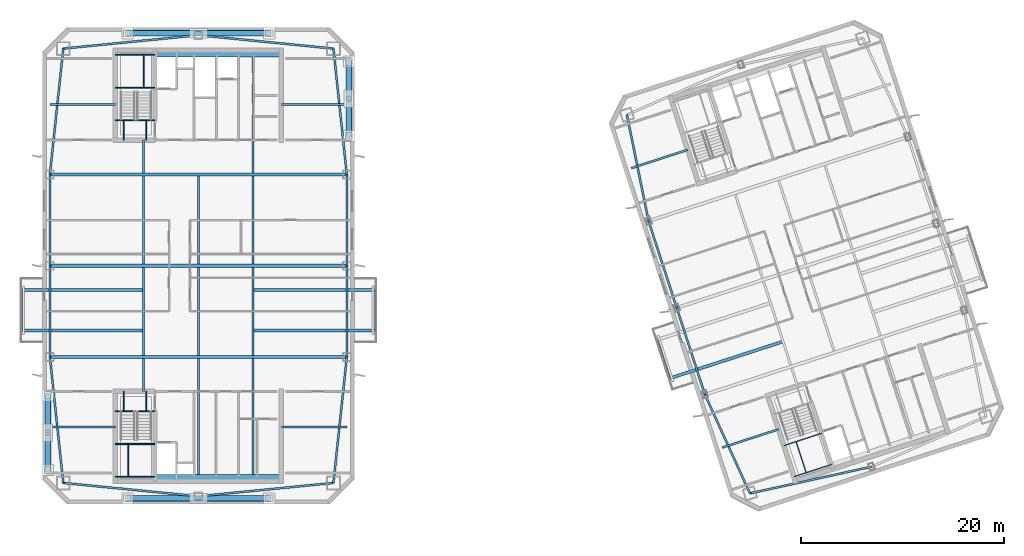
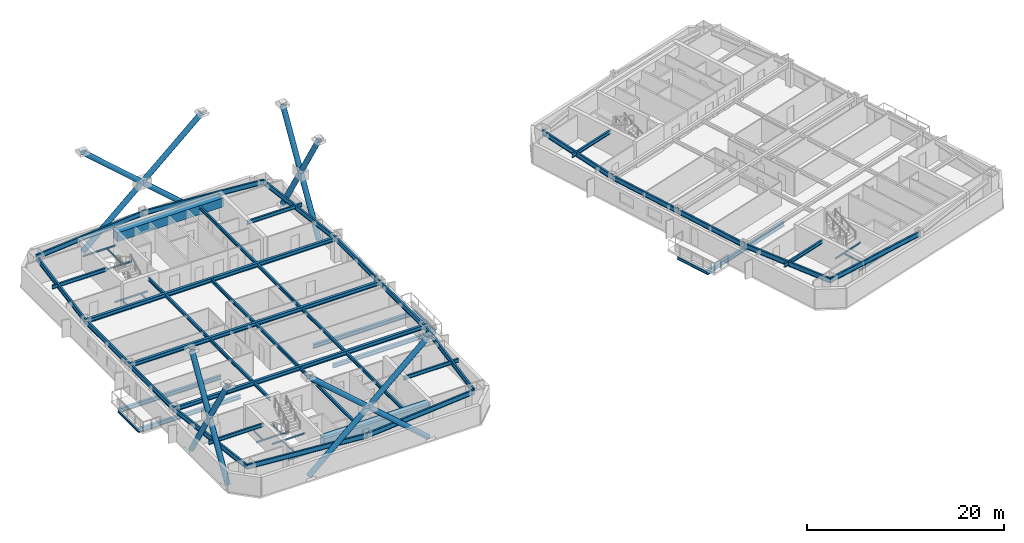
# One storey, part 3 of 18: 62 beams, 16 members.
"""IFC4 building model written with IfcOpenShell, lengths in metres."""

from ifc_helpers import new_model, si_unit, direction, frame, origin, origin_2d, place, context, subcontext, project, spatial, rectangle, hollow_circle, i_section, extrude, material, material_profile, profile_set, type_object, element, save


model = new_model("IFC4")

# Units and contexts
model_context = context("Model", 3, precision=1e-05, world=origin(), true_north=direction((0.0, 1.0)))
body_context = subcontext(model_context, "Body", "Model", "MODEL_VIEW")
ifc_project = project(units=[si_unit("LENGTHUNIT", "METRE"), si_unit("AREAUNIT", "SQUARE_METRE"), si_unit("VOLUMEUNIT", "CUBIC_METRE"), si_unit("PLANEANGLEUNIT", "RADIAN"), si_unit("MASSUNIT", "GRAM", prefix="KILO")], contexts=[model_context])

# Site, building, storey
site_placement = place(None, origin())
site = spatial("IfcSite", under=ifc_project, at=site_placement, CompositionType="ELEMENT")
building_placement = place(site_placement, origin())
building = spatial("IfcBuilding", under=site, at=building_placement, Name="Qiaolan Cultural Towers", CompositionType="ELEMENT")
storey_placement = place(building_placement, frame((0.0, 0.0, 237.60009765625)))
storey = spatial("IfcBuildingStorey", under=building, at=storey_placement, Name="L64", CompositionType="ELEMENT", Elevation=237.60009765625)

# Beams
ifc_material_1 = material(Name="Steel Q355B", Category="steel")
ifc_material_profile_1 = material_profile(ifc_material_1, i_section(OverallWidth=0.300048828125, OverallDepth=0.488037109375, WebThickness=0.010986328125, FlangeThickness=0.01806640625, at=origin_2d()), Name="HM488x300x11x18")
ifc_profile_set_1 = profile_set([ifc_material_profile_1], Name="Steel Q355B")
beam_type_1 = type_object("IfcBeamType", Name="BM-HM488x300x11x18", PredefinedType="BEAM", material=ifc_profile_set_1)
for number, where, z_axis, x_axis, name in (
    (1, (24.60009765625, 27.60009765625, -0.524169921875), (-1.0, 0.0, 0.0), (0.0, -1.0, 0.0), "L64 T1 Tree Balcony Back-Spanned Bracket Beam"),
    (2, (24.60009765625, 31.60009765625, -0.524169921875), (-1.0, 0.0, 0.0), (0.0, -1.0, 0.0), "L64 T1 Tree Balcony Back-Spanned Bracket Beam"),
    (3, (35.39990234375, 27.60009765625, -0.524169921875), (1.0, 0.0, 0.0), (0.0, 1.0, 0.0), "L64 T1 Tree Balcony Back-Spanned Bracket Beam"),
    (4, (35.39990234375, 31.60009765625, -0.524169921875), (1.0, 0.0, 0.0), (0.0, 1.0, 0.0), "L64 T1 Tree Balcony Back-Spanned Bracket Beam"),
):
    element("IfcBeam", number, at=place(storey_placement, frame(where, z_axis=z_axis, x_axis=x_axis)), inside=storey, type_object=beam_type_1, Name=name, PredefinedType="BEAM", context=body_context, shape_type="SweptSolid", body=[
        extrude(i_section(OverallWidth=0.300048828125, OverallDepth=0.488037109375, WebThickness=0.010986328125, FlangeThickness=0.01806640625, at=origin_2d()), origin(), (0.0, 0.0, 1.0), 12.050048828125),
    ])
beam_1_placement = place(storey_placement, frame((87.697998046875, 26.522705078125, -0.524169921875), z_axis=(-0.951053763838, -0.309025465439, 0.0), x_axis=(0.309025465439, -0.951053763838, 0.0)))
element("IfcBeam", 5, at=beam_1_placement, inside=storey, type_object=beam_type_1, Name="L64 T2 Tree Balcony Back-Spanned Bracket Beam", PredefinedType="BEAM", context=body_context, shape_type="SweptSolid", body=[
    extrude(i_section(OverallWidth=0.300048828125, OverallDepth=0.488037109375, WebThickness=0.010986328125, FlangeThickness=0.01806640625, at=origin_2d()), origin(), (0.0, 0.0, 1.0), 11.750244140625),
])
for number, where, z_axis, x_axis, name in (
    (6, (15.35009765625, 25.0, 2.69580078125), (1.0, 0.0, 0.0), (0.0, 1.0, 0.0), "L64 T1 Primary Transverse Girder V1"),
    (7, (15.35009765625, 34.0, 2.69580078125), (1.0, 0.0, 0.0), (0.0, 1.0, 0.0), "L64 T1 Primary Transverse Girder V2"),
    (8, (15.35009765625, 43.0, 2.69580078125), (1.0, 0.0, 0.0), (0.0, 1.0, 0.0), "L64 T1 Primary Transverse Girder V3"),
):
    element("IfcBeam", number, at=place(storey_placement, frame(where, z_axis=z_axis, x_axis=x_axis)), inside=storey, type_object=beam_type_1, Name=name, PredefinedType="BEAM", context=body_context, shape_type="SweptSolid", body=[
        extrude(i_section(OverallWidth=0.300048828125, OverallDepth=0.488037109375, WebThickness=0.010986328125, FlangeThickness=0.01806640625, at=origin_2d()), origin(), (0.0, 0.0, 1.0), 29.2998046875),
    ])
ifc_material_2 = material(Name="Steel Q355B", Category="steel")
ifc_material_profile_2 = material_profile(ifc_material_2, i_section(OverallWidth=0.175048828125, OverallDepth=0.35009765625, WebThickness=0.007080078125, FlangeThickness=0.010986328125, at=origin_2d()), Name="HN350x175x7x11")
ifc_profile_set_2 = profile_set([ifc_material_profile_2], Name="Steel Q355B")
beam_type_2 = type_object("IfcBeamType", Name="BM-JST-HN350x175x7x11", PredefinedType="JOIST", material=ifc_profile_set_2)
for number, where, z_axis, x_axis, name in (
    (9, (12.550048828125, 27.60009765625, -0.524169921875), (0.0, 1.0, 0.0), (-1.0, 0.0, 0.0), "L64 T1 Tree Balcony Outer Edge Beam"),
    (10, (47.449951171875, 27.60009765625, -0.524169921875), (0.0, 1.0, 0.0), (-1.0, 0.0, 0.0), "L64 T1 Tree Balcony Outer Edge Beam"),
):
    element("IfcBeam", number, at=place(storey_placement, frame(where, z_axis=z_axis, x_axis=x_axis)), inside=storey, type_object=beam_type_2, Name=name, PredefinedType="JOIST", context=body_context, shape_type="SweptSolid", body=[
        extrude(i_section(OverallWidth=0.175048828125, OverallDepth=0.35009765625, WebThickness=0.007080078125, FlangeThickness=0.010986328125, at=origin_2d()), origin(), (0.0, 0.0, 1.0), 4.0),
    ])
beam_2_placement = place(storey_placement, frame((76.52294921875, 22.8916015625, -0.524169921875), z_axis=(-0.3090046493, 0.951060527364, 0.0), x_axis=(-0.951060527364, -0.3090046493, 0.0)))
element("IfcBeam", 11, at=beam_2_placement, inside=storey, type_object=beam_type_2, Name="L64 T2 Tree Balcony Outer Edge Beam", PredefinedType="JOIST", context=body_context, shape_type="SweptSolid", body=[
    extrude(i_section(OverallWidth=0.175048828125, OverallDepth=0.35009765625, WebThickness=0.007080078125, FlangeThickness=0.010986328125, at=origin_2d()), origin(), (0.0, 0.0, 1.0), 4.000244140625),
])
ifc_material_3 = material(Name="Steel Q355B", Category="steel")
ifc_material_profile_3 = material_profile(ifc_material_3, i_section(OverallWidth=0.199951171875, OverallDepth=0.39990234375, WebThickness=0.008056640625, FlangeThickness=0.012939453125, at=origin_2d()), Name="HN400x200x8x13")
ifc_profile_set_3 = profile_set([ifc_material_profile_3], Name="Steel Q355B")
beam_type_3 = type_object("IfcBeamType", Name="BM-JST-HN400x200x8x13", PredefinedType="JOIST", material=ifc_profile_set_3)
beam_3_placement = place(storey_placement, frame((24.60009765625, 21.60009765625, 2.739990234375), z_axis=(0.0, 1.0, 0.0), x_axis=(-1.0, 0.0, 0.0)))
element("IfcBeam", 12, at=beam_3_placement, inside=storey, type_object=beam_type_3, Name="L64 T1 Secondary Floor Joist U1-1", PredefinedType="JOIST", context=body_context, shape_type="SweptSolid", body=[
    extrude(i_section(OverallWidth=0.199951171875, OverallDepth=0.39990234375, WebThickness=0.008056640625, FlangeThickness=0.012939453125, at=origin_2d()), origin(), (0.0, 0.0, 1.0), 3.25),
])
for number, where, z_axis, x_axis, name in (
    (13, (24.60009765625, 25.14990234375, 2.739990234375), (0.0, 1.0, 0.0), (-1.0, 0.0, 0.0), "L64 T1 Secondary Floor Joist U1-2"),
    (14, (24.60009765625, 34.14990234375, 2.739990234375), (0.0, 1.0, 0.0), (-1.0, 0.0, 0.0), "L64 T1 Secondary Floor Joist U1-3"),
):
    element("IfcBeam", number, at=place(storey_placement, frame(where, z_axis=z_axis, x_axis=x_axis)), inside=storey, type_object=beam_type_3, Name=name, PredefinedType="JOIST", context=body_context, shape_type="SweptSolid", body=[
        extrude(i_section(OverallWidth=0.199951171875, OverallDepth=0.39990234375, WebThickness=0.008056640625, FlangeThickness=0.012939453125, at=origin_2d()), origin(), (0.0, 0.0, 1.0), 8.7001953125),
    ])
beam_4_placement = place(storey_placement, frame((24.60009765625, 43.14990234375, 2.739990234375), z_axis=(0.0, 1.0, 0.0), x_axis=(-1.0, 0.0, 0.0)))
element("IfcBeam", 15, at=beam_4_placement, inside=storey, type_object=beam_type_3, Name="L64 T1 Secondary Floor Joist U1-4", PredefinedType="JOIST", context=body_context, shape_type="SweptSolid", body=[
    extrude(i_section(OverallWidth=0.199951171875, OverallDepth=0.39990234375, WebThickness=0.008056640625, FlangeThickness=0.012939453125, at=origin_2d()), origin(), (0.0, 0.0, 1.0), 3.25),
])
beam_5_placement = place(storey_placement, frame((30.0, 13.39990234375, 2.739990234375), z_axis=(0.0, 1.0, 0.0), x_axis=(-1.0, 0.0, 0.0)))
element("IfcBeam", 16, at=beam_5_placement, inside=storey, type_object=beam_type_3, Name="L64 T1 Secondary Floor Joist U2-1", PredefinedType="JOIST", context=body_context, shape_type="SweptSolid", body=[
    extrude(i_section(OverallWidth=0.199951171875, OverallDepth=0.39990234375, WebThickness=0.008056640625, FlangeThickness=0.012939453125, at=origin_2d()), origin(), (0.0, 0.0, 1.0), 11.4501953125),
])
for number, where, z_axis, x_axis, name in (
    (17, (30.0, 25.14990234375, 2.739990234375), (0.0, 1.0, 0.0), (-1.0, 0.0, 0.0), "L64 T1 Secondary Floor Joist U2-2"),
    (18, (30.0, 34.14990234375, 2.739990234375), (0.0, 1.0, 0.0), (-1.0, 0.0, 0.0), "L64 T1 Secondary Floor Joist U2-3"),
):
    element("IfcBeam", number, at=place(storey_placement, frame(where, z_axis=z_axis, x_axis=x_axis)), inside=storey, type_object=beam_type_3, Name=name, PredefinedType="JOIST", context=body_context, shape_type="SweptSolid", body=[
        extrude(i_section(OverallWidth=0.199951171875, OverallDepth=0.39990234375, WebThickness=0.008056640625, FlangeThickness=0.012939453125, at=origin_2d()), origin(), (0.0, 0.0, 1.0), 8.7001953125),
    ])
beam_6_placement = place(storey_placement, frame((35.39990234375, 13.39990234375, 2.739990234375), z_axis=(0.0, 1.0, 0.0), x_axis=(-1.0, 0.0, 0.0)))
element("IfcBeam", 19, at=beam_6_placement, inside=storey, type_object=beam_type_3, Name="L64 T1 Secondary Floor Joist U3-1", PredefinedType="JOIST", context=body_context, shape_type="SweptSolid", body=[
    extrude(i_section(OverallWidth=0.199951171875, OverallDepth=0.39990234375, WebThickness=0.008056640625, FlangeThickness=0.012939453125, at=origin_2d()), origin(), (0.0, 0.0, 1.0), 11.4501953125),
])
for number, where, z_axis, x_axis, name in (
    (20, (35.39990234375, 25.14990234375, 2.739990234375), (0.0, 1.0, 0.0), (-1.0, 0.0, 0.0), "L64 T1 Secondary Floor Joist U3-2"),
    (21, (35.39990234375, 34.14990234375, 2.739990234375), (0.0, 1.0, 0.0), (-1.0, 0.0, 0.0), "L64 T1 Secondary Floor Joist U3-3"),
):
    element("IfcBeam", number, at=place(storey_placement, frame(where, z_axis=z_axis, x_axis=x_axis)), inside=storey, type_object=beam_type_3, Name=name, PredefinedType="JOIST", context=body_context, shape_type="SweptSolid", body=[
        extrude(i_section(OverallWidth=0.199951171875, OverallDepth=0.39990234375, WebThickness=0.008056640625, FlangeThickness=0.012939453125, at=origin_2d()), origin(), (0.0, 0.0, 1.0), 8.7001953125),
    ])
beam_7_placement = place(storey_placement, frame((35.39990234375, 43.14990234375, 2.739990234375), z_axis=(0.0, 1.0, 0.0), x_axis=(-1.0, 0.0, 0.0)))
element("IfcBeam", 22, at=beam_7_placement, inside=storey, type_object=beam_type_3, Name="L64 T1 Secondary Floor Joist U3-4", PredefinedType="JOIST", context=body_context, shape_type="SweptSolid", body=[
    extrude(i_section(OverallWidth=0.199951171875, OverallDepth=0.39990234375, WebThickness=0.008056640625, FlangeThickness=0.012939453125, at=origin_2d()), origin(), (0.0, 0.0, 1.0), 11.4501953125),
])
ifc_material_4 = material(Name="Steel Q355B", Category="steel")
ifc_material_profile_4 = material_profile(ifc_material_4, i_section(OverallWidth=0.199951171875, OverallDepth=0.449951171875, WebThickness=0.009033203125, FlangeThickness=0.013916015625, at=origin_2d()), Name="HN450x200x9x14")
ifc_profile_set_4 = profile_set([ifc_material_profile_4], Name="Steel Q355B")
beam_type_4 = type_object("IfcBeamType", Name="BM-LNT-HN450x200x9x14", PredefinedType="LINTEL", material=ifc_profile_set_4)
for number, where, z_axis, x_axis, name in (
    (23, (21.800048828125, 18.10009765625, 2.71484375), (-1.0, 0.0, 0.0), (0.0, -1.0, 0.0), "L64 T1 Core Flank Tie Lintel WS"),
    (24, (21.800048828125, 49.89990234375, 2.71484375), (-1.0, 0.0, 0.0), (0.0, -1.0, 0.0), "L64 T1 Core Flank Tie Lintel WN"),
    (25, (38.199951171875, 18.10009765625, 2.71484375), (1.0, 0.0, 0.0), (0.0, 1.0, 0.0), "L64 T1 Core Flank Tie Lintel ES"),
    (26, (38.199951171875, 49.89990234375, 2.71484375), (1.0, 0.0, 0.0), (0.0, 1.0, 0.0), "L64 T1 Core Flank Tie Lintel EN"),
):
    element("IfcBeam", number, at=place(storey_placement, frame(where, z_axis=z_axis, x_axis=x_axis)), inside=storey, type_object=beam_type_4, Name=name, PredefinedType="LINTEL", context=body_context, shape_type="SweptSolid", body=[
        extrude(i_section(OverallWidth=0.199951171875, OverallDepth=0.449951171875, WebThickness=0.009033203125, FlangeThickness=0.013916015625, at=origin_2d()), origin(), (0.0, 0.0, 1.0), 6.449951171875),
    ])
for number, where, z_axis, x_axis, name in (
    (27, (87.252685546875, 17.861083984375, 2.71484375), (-0.951063813276, -0.308994535675, 0.0), (0.308994535675, -0.951063813276, 0.0), "L64 T2 Core Flank Tie Lintel WS"),
    (28, (78.291259765625, 45.44189453125, 2.71484375), (-0.951051548326, -0.309032283793, 0.0), (0.309032283793, -0.951051548326, 0.0), "L64 T2 Core Flank Tie Lintel WN"),
):
    element("IfcBeam", number, at=place(storey_placement, frame(where, z_axis=z_axis, x_axis=x_axis)), inside=storey, type_object=beam_type_4, Name=name, PredefinedType="LINTEL", context=body_context, shape_type="SweptSolid", body=[
        extrude(i_section(OverallWidth=0.199951171875, OverallDepth=0.449951171875, WebThickness=0.009033203125, FlangeThickness=0.013916015625, at=origin_2d()), origin(), (0.0, 0.0, 1.0), 5.85009765625),
    ])
ifc_material_5 = material(Name="Concrete C50", Category="concrete")
ifc_material_profile_5 = material_profile(ifc_material_5, rectangle(XDim=0.89990234375, YDim=1.10009765625, at=origin_2d()), Name="RC900x1100")
ifc_profile_set_5 = profile_set([ifc_material_profile_5], Name="Concrete C50")
beam_type_5 = type_object("IfcBeamType", Name="BM-RC900x1100", PredefinedType="BEAM", material=ifc_profile_set_5)
for number, where, z_axis, x_axis, name in (
    (29, (25.719970703125, 12.949951171875, 2.389892578125), (1.0, 0.0, 0.0), (0.0, 1.0, 0.0), "L64 T1 Core Header Girder S"),
    (30, (25.719970703125, 55.050048828125, 2.389892578125), (1.0, 0.0, 0.0), (0.0, 1.0, 0.0), "L64 T1 Core Header Girder N"),
):
    element("IfcBeam", number, at=place(storey_placement, frame(where, z_axis=z_axis, x_axis=x_axis)), inside=storey, type_object=beam_type_5, Name=name, PredefinedType="BEAM", context=body_context, shape_type="SweptSolid", body=[
        extrude(rectangle(XDim=0.89990234375, YDim=1.10009765625, at=origin_2d()), origin(), (0.0, 0.0, 1.0), 12.47998046875),
    ])
ifc_material_6 = material(Name="Steel Q355B", Category="steel")
ifc_material_profile_6 = material_profile(ifc_material_6, i_section(OverallWidth=0.199951171875, OverallDepth=0.60009765625, WebThickness=0.010986328125, FlangeThickness=0.01708984375, at=origin_2d()), Name="HN600x200x11x17")
ifc_profile_set_6 = profile_set([ifc_material_profile_6], Name="Steel Q355B")
beam_type_6 = type_object("IfcBeamType", Name="BM-SPD-HN600x200x11x17", PredefinedType="SPANDREL", material=ifc_profile_set_6)
for number, where, z_axis, x_axis, name in (
    (31, (16.669921875, 12.570068359375, 2.639892578125), (0.995132371263, -0.098547266143, 0.0), (0.098547266143, 0.995132371263, 0.0), "L64 T1 Perimeter Spandrel Beam 1"),
    (32, (30.0, 11.25, 2.639892578125), (0.995132371263, 0.098547266143, 0.0), (-0.098547266143, 0.995132371263, 0.0), "L64 T1 Perimeter Spandrel Beam 2"),
):
    element("IfcBeam", number, at=place(storey_placement, frame(where, z_axis=z_axis, x_axis=x_axis)), inside=storey, type_object=beam_type_6, Name=name, PredefinedType="SPANDREL", context=body_context, shape_type="SweptSolid", body=[
        extrude(i_section(OverallWidth=0.199951171875, OverallDepth=0.60009765625, WebThickness=0.010986328125, FlangeThickness=0.01708984375, at=origin_2d()), origin(), (0.0, 0.0, 1.0), 13.395263671875),
    ])
beam_8_placement = place(storey_placement, frame((43.330078125, 12.570068359375, 2.639892578125), z_axis=(0.105587580773, 0.994410007384, 0.0), x_axis=(-0.994410007384, 0.105587580773, 0.0)))
element("IfcBeam", 33, at=beam_8_placement, inside=storey, type_object=beam_type_6, Name="L64 T1 Perimeter Spandrel Beam 3", PredefinedType="SPANDREL", context=body_context, shape_type="SweptSolid", body=[
    extrude(i_section(OverallWidth=0.199951171875, OverallDepth=0.60009765625, WebThickness=0.010986328125, FlangeThickness=0.01708984375, at=origin_2d()), origin(), (0.0, 0.0, 1.0), 12.499755859375),
])
for number, where, z_axis, x_axis, name in (
    (34, (44.64990234375, 25.0, 2.639892578125), (0.0, 1.0, 0.0), (-1.0, 0.0, 0.0), "L64 T1 Perimeter Spandrel Beam 4"),
    (35, (44.64990234375, 34.0, 2.639892578125), (0.0, 1.0, 0.0), (-1.0, 0.0, 0.0), "L64 T1 Perimeter Spandrel Beam 5"),
):
    element("IfcBeam", number, at=place(storey_placement, frame(where, z_axis=z_axis, x_axis=x_axis)), inside=storey, type_object=beam_type_6, Name=name, PredefinedType="SPANDREL", context=body_context, shape_type="SweptSolid", body=[
        extrude(i_section(OverallWidth=0.199951171875, OverallDepth=0.60009765625, WebThickness=0.010986328125, FlangeThickness=0.01708984375, at=origin_2d()), origin(), (0.0, 0.0, 1.0), 9.0),
    ])
beam_9_placement = place(storey_placement, frame((44.64990234375, 43.0, 2.639892578125), z_axis=(-0.105587580773, 0.994410007384, 0.0), x_axis=(-0.994410007384, -0.105587580773, 0.0)))
element("IfcBeam", 36, at=beam_9_placement, inside=storey, type_object=beam_type_6, Name="L64 T1 Perimeter Spandrel Beam 6", PredefinedType="SPANDREL", context=body_context, shape_type="SweptSolid", body=[
    extrude(i_section(OverallWidth=0.199951171875, OverallDepth=0.60009765625, WebThickness=0.010986328125, FlangeThickness=0.01708984375, at=origin_2d()), origin(), (0.0, 0.0, 1.0), 12.499755859375),
])
for number, where, z_axis, x_axis, name in (
    (37, (43.330078125, 55.429931640625, 2.639892578125), (-0.995132371263, 0.098547266143, 0.0), (-0.098547266143, -0.995132371263, 0.0), "L64 T1 Perimeter Spandrel Beam 7"),
    (38, (30.0, 56.75, 2.639892578125), (-0.995132371263, -0.098547266143, 0.0), (0.098547266143, -0.995132371263, 0.0), "L64 T1 Perimeter Spandrel Beam 8"),
):
    element("IfcBeam", number, at=place(storey_placement, frame(where, z_axis=z_axis, x_axis=x_axis)), inside=storey, type_object=beam_type_6, Name=name, PredefinedType="SPANDREL", context=body_context, shape_type="SweptSolid", body=[
        extrude(i_section(OverallWidth=0.199951171875, OverallDepth=0.60009765625, WebThickness=0.010986328125, FlangeThickness=0.01708984375, at=origin_2d()), origin(), (0.0, 0.0, 1.0), 13.395263671875),
    ])
beam_10_placement = place(storey_placement, frame((16.669921875, 55.429931640625, 2.639892578125), z_axis=(-0.105587580773, -0.994410007384, 0.0), x_axis=(0.994410007384, -0.105587580773, 0.0)))
element("IfcBeam", 39, at=beam_10_placement, inside=storey, type_object=beam_type_6, Name="L64 T1 Perimeter Spandrel Beam 9", PredefinedType="SPANDREL", context=body_context, shape_type="SweptSolid", body=[
    extrude(i_section(OverallWidth=0.199951171875, OverallDepth=0.60009765625, WebThickness=0.010986328125, FlangeThickness=0.01708984375, at=origin_2d()), origin(), (0.0, 0.0, 1.0), 12.499755859375),
])
for number, where, z_axis, x_axis, name in (
    (40, (15.35009765625, 43.0, 2.639892578125), (0.0, -1.0, 0.0), (1.0, 0.0, 0.0), "L64 T1 Perimeter Spandrel Beam 10"),
    (41, (15.35009765625, 34.0, 2.639892578125), (0.0, -1.0, 0.0), (1.0, 0.0, 0.0), "L64 T1 Perimeter Spandrel Beam 11"),
):
    element("IfcBeam", number, at=place(storey_placement, frame(where, z_axis=z_axis, x_axis=x_axis)), inside=storey, type_object=beam_type_6, Name=name, PredefinedType="SPANDREL", context=body_context, shape_type="SweptSolid", body=[
        extrude(i_section(OverallWidth=0.199951171875, OverallDepth=0.60009765625, WebThickness=0.010986328125, FlangeThickness=0.01708984375, at=origin_2d()), origin(), (0.0, 0.0, 1.0), 9.0),
    ])
beam_11_placement = place(storey_placement, frame((15.35009765625, 25.0, 2.639892578125), z_axis=(0.105587580773, -0.994410007384, 0.0), x_axis=(0.994410007384, 0.105587580773, 0.0)))
element("IfcBeam", 42, at=beam_11_placement, inside=storey, type_object=beam_type_6, Name="L64 T1 Perimeter Spandrel Beam 12", PredefinedType="SPANDREL", context=body_context, shape_type="SweptSolid", body=[
    extrude(i_section(OverallWidth=0.199951171875, OverallDepth=0.60009765625, WebThickness=0.010986328125, FlangeThickness=0.01708984375, at=origin_2d()), origin(), (0.0, 0.0, 1.0), 12.499755859375),
])
beam_12_placement = place(storey_placement, frame((84.42822265625, 11.538818359375, 2.639892578125), z_axis=(0.976843395078, 0.213955559619, 0.0), x_axis=(-0.213955559619, 0.976843395078, 0.0)))
element("IfcBeam", 43, at=beam_12_placement, inside=storey, type_object=beam_type_6, Name="L64 T2 Perimeter Spandrel Beam 1", PredefinedType="SPANDREL", context=body_context, shape_type="SweptSolid", body=[
    extrude(i_section(OverallWidth=0.199951171875, OverallDepth=0.60009765625, WebThickness=0.010986328125, FlangeThickness=0.01708984375, at=origin_2d()), origin(), (0.0, 0.0, 1.0), 12.2998046875),
])
beam_13_placement = place(storey_placement, frame((72.2900390625, 48.896484375, 2.639892578125), z_axis=(0.199578538116, -0.979881833245, 0.0), x_axis=(0.979881833245, 0.199578538116, 0.0)))
element("IfcBeam", 44, at=beam_13_placement, inside=storey, type_object=beam_type_6, Name="L64 T2 Perimeter Spandrel Beam 9", PredefinedType="SPANDREL", context=body_context, shape_type="SweptSolid", body=[
    extrude(i_section(OverallWidth=0.199951171875, OverallDepth=0.60009765625, WebThickness=0.010986328125, FlangeThickness=0.01708984375, at=origin_2d()), origin(), (0.0, 0.0, 1.0), 10.70849609375),
])
for number, where, z_axis, x_axis, name in (
    (45, (74.42724609375, 38.4033203125, 2.639892578125), (0.309000197986, -0.951061973609, 0.0), (0.951061973609, 0.309000197986, 0.0), "L64 T2 Perimeter Spandrel Beam 10"),
    (46, (77.208251953125, 29.84375, 2.639892578125), (0.309024734286, -0.951054001411, 0.0), (0.951054001411, 0.309024734286, 0.0), "L64 T2 Perimeter Spandrel Beam 11"),
):
    element("IfcBeam", number, at=place(storey_placement, frame(where, z_axis=z_axis, x_axis=x_axis)), inside=storey, type_object=beam_type_6, Name=name, PredefinedType="SPANDREL", context=body_context, shape_type="SweptSolid", body=[
        extrude(i_section(OverallWidth=0.199951171875, OverallDepth=0.60009765625, WebThickness=0.010986328125, FlangeThickness=0.01708984375, at=origin_2d()), origin(), (0.0, 0.0, 1.0), 9.0),
    ])
beam_14_placement = place(storey_placement, frame((79.989501953125, 21.2841796875, 2.639892578125), z_axis=(0.414500208282, -0.910049216985, 0.0), x_axis=(0.910049216985, 0.414500208282, 0.0)))
element("IfcBeam", 47, at=beam_14_placement, inside=storey, type_object=beam_type_6, Name="L64 T2 Perimeter Spandrel Beam 12", PredefinedType="SPANDREL", context=body_context, shape_type="SweptSolid", body=[
    extrude(i_section(OverallWidth=0.199951171875, OverallDepth=0.60009765625, WebThickness=0.010986328125, FlangeThickness=0.01708984375, at=origin_2d()), origin(), (0.0, 0.0, 1.0), 10.70849609375),
])
ifc_material_7 = material(Name="Steel Q355B", Category="steel")
ifc_material_profile_7 = material_profile(ifc_material_7, i_section(OverallWidth=0.10009765625, OverallDepth=0.199951171875, WebThickness=0.005615234375, FlangeThickness=0.008056640625, at=origin_2d()), Name="HN200x100x5.5x8")
ifc_profile_set_7 = profile_set([ifc_material_profile_7], Name="Steel Q355B")
beam_type_7 = type_object("IfcBeamType", Name="BM-STTRIM-200", PredefinedType="BEAM", material=ifc_profile_set_7)
beam_15_placement = place(storey_placement, frame((21.800048828125, 19.659912109375, -0.460205078125), z_axis=(1.0, 0.0, 0.0), x_axis=(0.0, 1.0, 0.0)))
element("IfcBeam", 48, at=beam_15_placement, inside=storey, type_object=beam_type_7, Name="L64 ST-W1 Floor Landing Header Beam", PredefinedType="BEAM", context=body_context, shape_type="SweptSolid", body=[
    extrude(i_section(OverallWidth=0.10009765625, OverallDepth=0.199951171875, WebThickness=0.005615234375, FlangeThickness=0.008056640625, at=origin_2d()), origin(), (0.0, 0.0, 1.0), 3.919921875),
])
for number, where, z_axis, x_axis, name in (
    (49, (22.64990234375, 21.60009765625, -0.460205078125), (0.0, -1.0, 0.0), (1.0, 0.0, 0.0), "L64 ST-W1 Floor Landing Stringer 1"),
    (50, (24.85009765625, 21.60009765625, -0.460205078125), (0.0, -1.0, 0.0), (1.0, 0.0, 0.0), "L64 ST-W1 Floor Landing Stringer 2"),
):
    element("IfcBeam", number, at=place(storey_placement, frame(where, z_axis=z_axis, x_axis=x_axis)), inside=storey, type_object=beam_type_7, Name=name, PredefinedType="BEAM", context=body_context, shape_type="SweptSolid", body=[
        extrude(i_section(OverallWidth=0.10009765625, OverallDepth=0.199951171875, WebThickness=0.005615234375, FlangeThickness=0.008056640625, at=origin_2d()), origin(), (0.0, 0.0, 1.0), 1.940185546875),
    ])
for number, where, z_axis, x_axis, name in (
    (51, (21.800048828125, 16.411376953125, 1.2998046875), (1.0, 0.0, 0.0), (0.0, 1.0, 0.0), "L64 ST-W1 Stair Landing Support Beam 1-1"),
    (52, (21.800048828125, 13.179931640625, 1.2998046875), (1.0, 0.0, 0.0), (0.0, 1.0, 0.0), "L64 ST-W1 Stair Landing Support Beam 1-2"),
):
    element("IfcBeam", number, at=place(storey_placement, frame(where, z_axis=z_axis, x_axis=x_axis)), inside=storey, type_object=beam_type_7, Name=name, PredefinedType="BEAM", context=body_context, shape_type="SweptSolid", body=[
        extrude(i_section(OverallWidth=0.10009765625, OverallDepth=0.199951171875, WebThickness=0.005615234375, FlangeThickness=0.008056640625, at=origin_2d()), origin(), (0.0, 0.0, 1.0), 3.919921875),
    ])
beam_16_placement = place(storey_placement, frame((23.070068359375, 16.411376953125, 1.2998046875), z_axis=(0.0, -1.0, 0.0), x_axis=(1.0, 0.0, 0.0)))
element("IfcBeam", 53, at=beam_16_placement, inside=storey, type_object=beam_type_7, Name="L64 ST-W1 Stair Landing Trimmer 1", PredefinedType="BEAM", context=body_context, shape_type="SweptSolid", body=[
    extrude(i_section(OverallWidth=0.10009765625, OverallDepth=0.199951171875, WebThickness=0.005615234375, FlangeThickness=0.008056640625, at=origin_2d()), origin(), (0.0, 0.0, 1.0), 3.2314453125),
])
beam_17_placement = place(storey_placement, frame((21.800048828125, 48.340087890625, -0.460205078125), z_axis=(1.0, 0.0, 0.0), x_axis=(0.0, 1.0, 0.0)))
element("IfcBeam", 54, at=beam_17_placement, inside=storey, type_object=beam_type_7, Name="L64 ST-W2 Floor Landing Header Beam", PredefinedType="BEAM", context=body_context, shape_type="SweptSolid", body=[
    extrude(i_section(OverallWidth=0.10009765625, OverallDepth=0.199951171875, WebThickness=0.005615234375, FlangeThickness=0.008056640625, at=origin_2d()), origin(), (0.0, 0.0, 1.0), 3.919921875),
])
for number, where, z_axis, x_axis, name in (
    (55, (22.64990234375, 46.39990234375, -0.460205078125), (0.0, 1.0, 0.0), (-1.0, 0.0, 0.0), "L64 ST-W2 Floor Landing Stringer 1"),
    (56, (24.85009765625, 46.39990234375, -0.460205078125), (0.0, 1.0, 0.0), (-1.0, 0.0, 0.0), "L64 ST-W2 Floor Landing Stringer 2"),
):
    element("IfcBeam", number, at=place(storey_placement, frame(where, z_axis=z_axis, x_axis=x_axis)), inside=storey, type_object=beam_type_7, Name=name, PredefinedType="BEAM", context=body_context, shape_type="SweptSolid", body=[
        extrude(i_section(OverallWidth=0.10009765625, OverallDepth=0.199951171875, WebThickness=0.005615234375, FlangeThickness=0.008056640625, at=origin_2d()), origin(), (0.0, 0.0, 1.0), 1.940185546875),
    ])
for number, where, z_axis, x_axis, name in (
    (57, (21.800048828125, 51.588623046875, 1.2998046875), (1.0, 0.0, 0.0), (0.0, 1.0, 0.0), "L64 ST-W2 Stair Landing Support Beam 1-1"),
    (58, (21.800048828125, 54.820068359375, 1.2998046875), (1.0, 0.0, 0.0), (0.0, 1.0, 0.0), "L64 ST-W2 Stair Landing Support Beam 1-2"),
):
    element("IfcBeam", number, at=place(storey_placement, frame(where, z_axis=z_axis, x_axis=x_axis)), inside=storey, type_object=beam_type_7, Name=name, PredefinedType="BEAM", context=body_context, shape_type="SweptSolid", body=[
        extrude(i_section(OverallWidth=0.10009765625, OverallDepth=0.199951171875, WebThickness=0.005615234375, FlangeThickness=0.008056640625, at=origin_2d()), origin(), (0.0, 0.0, 1.0), 3.919921875),
    ])
beam_18_placement = place(storey_placement, frame((24.610107421875, 51.588623046875, 1.2998046875), z_axis=(0.0, 1.0, 0.0), x_axis=(-1.0, 0.0, 0.0)))
element("IfcBeam", 59, at=beam_18_placement, inside=storey, type_object=beam_type_7, Name="L64 ST-W2 Stair Landing Trimmer 1", PredefinedType="BEAM", context=body_context, shape_type="SweptSolid", body=[
    extrude(i_section(OverallWidth=0.10009765625, OverallDepth=0.199951171875, WebThickness=0.005615234375, FlangeThickness=0.008056640625, at=origin_2d()), origin(), (0.0, 0.0, 1.0), 3.2314453125),
])
for number, where, z_axis, x_axis, name in (
    (60, (87.774658203125, 16.255126953125, 1.2998046875), (0.951047798727, 0.309043823005, 0.0), (-0.309043823005, 0.951047798727, 0.0), "L64 ST-E1 Stair Landing Support Beam 1-1"),
    (61, (88.773193359375, 13.181884765625, 1.2998046875), (0.951047798727, 0.309043823005, 0.0), (-0.309043823005, 0.951047798727, 0.0), "L64 ST-E1 Stair Landing Support Beam 1-2"),
):
    element("IfcBeam", number, at=place(storey_placement, frame(where, z_axis=z_axis, x_axis=x_axis)), inside=storey, type_object=beam_type_7, Name=name, PredefinedType="BEAM", context=body_context, shape_type="SweptSolid", body=[
        extrude(i_section(OverallWidth=0.10009765625, OverallDepth=0.199951171875, WebThickness=0.005615234375, FlangeThickness=0.008056640625, at=origin_2d()), origin(), (0.0, 0.0, 1.0), 3.919921875),
    ])
beam_19_placement = place(storey_placement, frame((88.982421875, 16.6474609375, 1.2998046875), z_axis=(0.309033108495, -0.951051280349, 0.0), x_axis=(0.951051280349, 0.309033108495, 0.0)))
element("IfcBeam", 62, at=beam_19_placement, inside=storey, type_object=beam_type_7, Name="L64 ST-E1 Stair Landing Trimmer 1", PredefinedType="BEAM", context=body_context, shape_type="SweptSolid", body=[
    extrude(i_section(OverallWidth=0.10009765625, OverallDepth=0.199951171875, WebThickness=0.005615234375, FlangeThickness=0.008056640625, at=origin_2d()), origin(), (0.0, 0.0, 1.0), 3.231201171875),
])

# Members
ifc_material_8 = material(Name="Steel Q355B", Category="steel")
ifc_material_profile_8 = material_profile(ifc_material_8, hollow_circle(Radius=0.300048828125, WallThickness=0.030029296875, at=origin_2d()), Name="CHS600x30")
ifc_profile_set_8 = profile_set([ifc_material_profile_8], Name="Steel Q355B")
member_type = type_object("IfcMemberType", Name="MBR-BRC-CHS600x30", PredefinedType="BRACE", material=ifc_profile_set_8)
for number, where, z_axis, x_axis, name in (
    (63, (15.14990234375, 13.85009765625, 0.14990234375), (0.0, 0.511399636686, 0.859343011607), (-1.0, 0.0, 0.0), "T1 WEST Perimeter Frame Diagonal W-Z4-M2-D1A"),
    (64, (15.14990234375, 17.52490234375, 6.324951171875), (0.0, 0.511424725954, 0.859328080353), (-1.0, 0.0, 0.0), "T1 WEST Perimeter Frame Diagonal W-Z4-M2-D1B"),
    (65, (15.14990234375, 21.199951171875, 0.14990234375), (0.0, -0.511424725954, 0.859328080353), (1.0, 0.0, 0.0), "T1 WEST Perimeter Frame Diagonal W-Z4-M2-D2A"),
    (66, (15.14990234375, 17.52490234375, 6.324951171875), (0.0, -0.511399636686, 0.859343011607), (1.0, 0.0, 0.0), "T1 WEST Perimeter Frame Diagonal W-Z4-M2-D2B"),
    (67, (44.85009765625, 46.800048828125, 0.14990234375), (0.0, 0.511424725954, 0.859328080353), (-1.0, 0.0, 0.0), "T1 EAST Perimeter Frame Diagonal W-Z4-M2-D1A"),
    (68, (44.85009765625, 50.47509765625, 6.324951171875), (0.0, 0.511399636686, 0.859343011607), (-1.0, 0.0, 0.0), "T1 EAST Perimeter Frame Diagonal W-Z4-M2-D1B"),
    (69, (44.85009765625, 54.14990234375, 0.14990234375), (0.0, -0.511399636686, 0.859343011607), (1.0, 0.0, 0.0), "T1 EAST Perimeter Frame Diagonal W-Z4-M2-D2A"),
    (70, (44.85009765625, 50.47509765625, 6.324951171875), (0.0, -0.511424725954, 0.859328080353), (1.0, 0.0, 0.0), "T1 EAST Perimeter Frame Diagonal W-Z4-M2-D2B"),
):
    element("IfcMember", number, at=place(storey_placement, frame(where, z_axis=z_axis, x_axis=x_axis)), inside=storey, type_object=member_type, Name=name, PredefinedType="BRACE", context=body_context, shape_type="SweptSolid", body=[
        extrude(hollow_circle(Radius=0.300048828125, WallThickness=0.030029296875, at=origin_2d()), origin(), (0.0, 0.0, 1.0), 7.185791015625),
    ])
for number, where, z_axis, x_axis, name in (
    (71, (23.0, 11.050048828125, 0.14990234375), (0.749913414741, 0.0, 0.66153599327), (0.0, 1.0, 0.0), "T1 SOUTH Perimeter Frame Diagonal W-Z4-M2-D1A"),
    (72, (30.0, 11.050048828125, 6.324951171875), (0.749913414741, 0.0, 0.66153599327), (0.0, 1.0, 0.0), "T1 SOUTH Perimeter Frame Diagonal W-Z4-M2-D1B"),
    (73, (37.0, 11.050048828125, 0.14990234375), (-0.749913414741, 0.0, 0.66153599327), (0.0, -1.0, 0.0), "T1 SOUTH Perimeter Frame Diagonal W-Z4-M2-D2A"),
    (74, (30.0, 11.050048828125, 6.324951171875), (-0.749913414741, 0.0, 0.66153599327), (0.0, -1.0, 0.0), "T1 SOUTH Perimeter Frame Diagonal W-Z4-M2-D2B"),
    (75, (23.0, 56.949951171875, 0.14990234375), (0.749913414741, 0.0, 0.66153599327), (0.0, 1.0, 0.0), "T1 NORTH Perimeter Frame Diagonal W-Z4-M2-D1A"),
    (76, (30.0, 56.949951171875, 6.324951171875), (0.749913414741, 0.0, 0.66153599327), (0.0, 1.0, 0.0), "T1 NORTH Perimeter Frame Diagonal W-Z4-M2-D1B"),
    (77, (37.0, 56.949951171875, 0.14990234375), (-0.749913414741, 0.0, 0.66153599327), (0.0, -1.0, 0.0), "T1 NORTH Perimeter Frame Diagonal W-Z4-M2-D2A"),
    (78, (30.0, 56.949951171875, 6.324951171875), (-0.749913414741, 0.0, 0.66153599327), (0.0, -1.0, 0.0), "T1 NORTH Perimeter Frame Diagonal W-Z4-M2-D2B"),
):
    element("IfcMember", number, at=place(storey_placement, frame(where, z_axis=z_axis, x_axis=x_axis)), inside=storey, type_object=member_type, Name=name, PredefinedType="BRACE", context=body_context, shape_type="SweptSolid", body=[
        extrude(hollow_circle(Radius=0.300048828125, WallThickness=0.030029296875, at=origin_2d()), origin(), (0.0, 0.0, 1.0), 9.33447265625),
    ])

save(model, "model.ifc")
